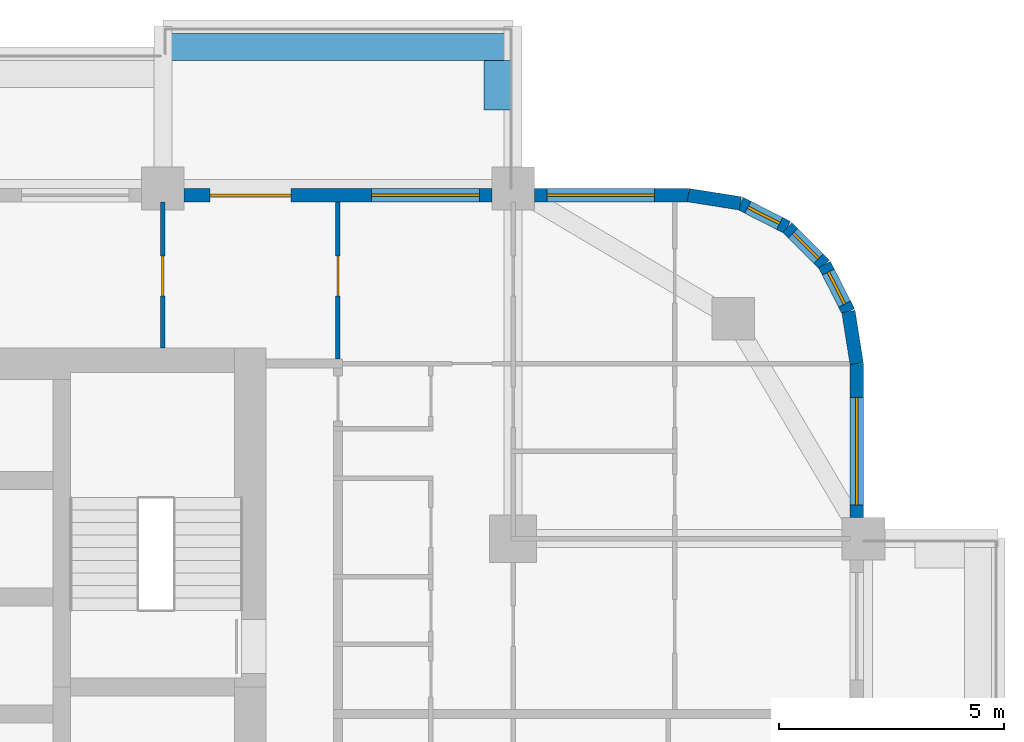
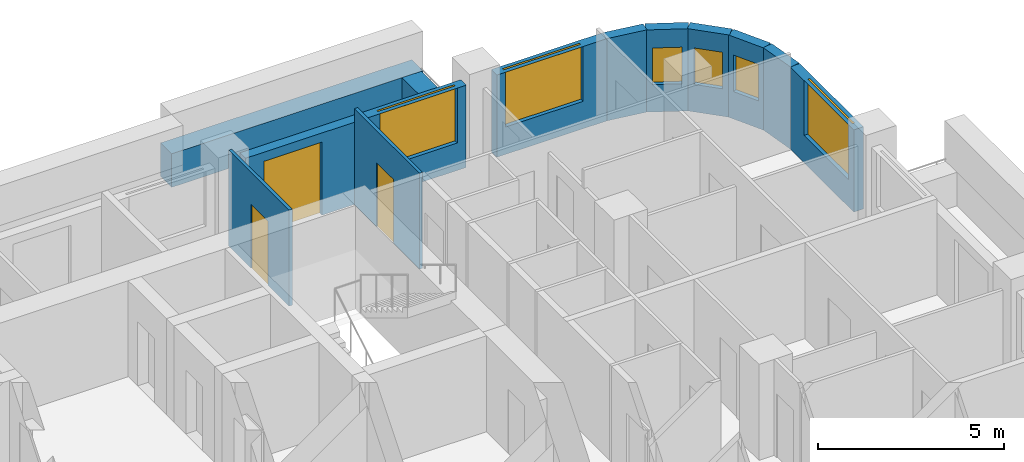
# One storey, part 14 of 18: 12 walls, 6 windows, 3 doors, 9 openings.
"""IFC4 building model written with IfcOpenShell, lengths in metres."""

import ifcopenshell
import ifcopenshell.guid

model = None  # the IFC model being written
_history = None  # IfcOwnerHistory: only IFC2X3 demands one
_inside = {}  # id of a spatial element -> (the spatial element, [elements in it])
_under = {}  # id of a project, library or spatial element -> (it, [spatial elements below it])
_declared = {}  # id of a project -> (the project, [libraries it declares])
_typed = {}  # id of a type object -> (the type object, [elements of that type])
_made_of = {}  # id of a material, layer set ... -> (it, [elements and type objects made of it])


def new_model(schema):
    """Start an empty IFC model of exactly this schema.

    Asked for "IFC4X3", IfcOpenShell would pick the latest addendum, in which some entities
    have other attributes; the version numbers below select the first issue.
    IFC2X3 requires an IfcOwnerHistory on every rooted entity: one is made here for all.
    """
    global model, _history
    if schema == "IFC4X3":
        model = ifcopenshell.file(schema_version=(4, 3, 0, 0))
    else:
        model = ifcopenshell.file(schema=schema)
    _inside.clear()
    _under.clear()
    _declared.clear()
    _typed.clear()
    _made_of.clear()
    _history = None
    if model.schema == "IFC2X3":
        org = make("IfcOrganization", Name="unknown")
        user = make(
            "IfcPersonAndOrganization",
            ThePerson=make("IfcPerson", FamilyName="unknown"),
            TheOrganization=org,
        )
        app = make(
            "IfcApplication",
            ApplicationDeveloper=org,
            Version="unknown",
            ApplicationFullName="unknown",
            ApplicationIdentifier="unknown",
        )
        _history = make(
            "IfcOwnerHistory",
            OwningUser=user,
            OwningApplication=app,
            ChangeAction="ADDED",
            CreationDate=0,
        )
    return model


def make(cls, **values):
    """One entity of the class cls with the attributes given. An attribute that is None is left unset."""
    return model.create_entity(
        cls, **{name: value for name, value in values.items() if value is not None}
    )


def rooted(cls, **values):
    """An entity with a GlobalId (a new one), such as an element, a storey or a relation."""
    return make(cls, GlobalId=ifcopenshell.guid.new(), OwnerHistory=_history, **values)


def si_unit(unit_type, name, prefix=None):
    """IfcSIUnit, for example si_unit("LENGTHUNIT", "METRE", prefix="MILLI")."""
    return make("IfcSIUnit", UnitType=unit_type, Prefix=prefix, Name=name)


def assignment(units):
    """IfcUnitAssignment: the units of a project."""
    return None if units is None else make("IfcUnitAssignment", Units=units)


def point(xyz):
    """IfcCartesianPoint."""
    return None if xyz is None else make("IfcCartesianPoint", Coordinates=xyz)


def direction(xyz):
    """IfcDirection."""
    return None if xyz is None else make("IfcDirection", DirectionRatios=xyz)


def frame(location, z_axis=None, x_axis=None):
    """IfcAxis2Placement3D, a coordinate frame: its origin and axes. An axis left out is left unset."""
    return make(
        "IfcAxis2Placement3D",
        Location=point(location),
        Axis=direction(z_axis),
        RefDirection=direction(x_axis),
    )


def frame_2d(location, x_axis=None):
    """IfcAxis2Placement2D, a coordinate frame in the plane: its origin and x axis."""
    return make(
        "IfcAxis2Placement2D", Location=point(location), RefDirection=direction(x_axis)
    )


def origin():
    """The frame at (0, 0, 0) with its axes left unset."""
    return frame((0.0, 0.0, 0.0))


def place(relative_to, where):
    """IfcLocalPlacement: puts the frame where relative to a parent placement (None: the world)."""
    return make(
        "IfcLocalPlacement", PlacementRelTo=relative_to, RelativePlacement=where
    )


def context(
    kind, dimensions, precision=None, world=None, true_north=None, identifier=None
):
    """IfcGeometricRepresentationContext, for example the 3D "Model" context."""
    return make(
        "IfcGeometricRepresentationContext",
        ContextIdentifier=identifier,
        ContextType=kind,
        CoordinateSpaceDimension=dimensions,
        Precision=precision,
        WorldCoordinateSystem=world,
        TrueNorth=true_north,
    )


def subcontext(parent, identifier, kind, view, scale=None):
    """IfcGeometricRepresentationSubContext, for example "Body" below "Model"."""
    return make(
        "IfcGeometricRepresentationSubContext",
        ContextIdentifier=identifier,
        ContextType=kind,
        ParentContext=parent,
        TargetScale=scale,
        TargetView=view,
    )


def project(units=None, contexts=None):
    """IfcProject with its units and contexts."""
    return rooted(
        "IfcProject",
        Name="project",
        RepresentationContexts=contexts,
        UnitsInContext=assignment(units),
    )


def spatial(cls, under=None, at=None, **own):
    """A site, building, storey or space (cls), placed at a placement, below another one or the project."""
    s = rooted(cls, ObjectPlacement=at, **own)
    if under is not None:
        _under.setdefault(under.id(), (under, []))[1].append(s)
    return s


def profile(cls, at=None, kind="AREA", **sizes):
    """A parametric profile (cls). Its sizes go by their IFC names, for example OverallWidth=200.0."""
    return make(cls, ProfileType=kind, Position=at, **sizes)


def rectangle(**sizes):
    """IfcRectangleProfileDef."""
    return profile("IfcRectangleProfileDef", **sizes)


def extrude(swept, where, along, depth):
    """IfcExtrudedAreaSolid: the profile swept, set in the frame where, extruded along a direction by depth."""
    return make(
        "IfcExtrudedAreaSolid",
        SweptArea=swept,
        Position=where,
        ExtrudedDirection=direction(along),
        Depth=depth,
    )


def shape(context_of_items, identifier, shape_type, items):
    """IfcShapeRepresentation: the items that make up one representation, for example the "Body"."""
    return make(
        "IfcShapeRepresentation",
        ContextOfItems=context_of_items,
        RepresentationIdentifier=identifier,
        RepresentationType=shape_type,
        Items=items,
    )


def material(Name=None, Category=None):
    """IfcMaterial."""
    return make("IfcMaterial", Name=Name, Category=Category)


def layer(
    of_material, thickness, ventilated=None, Name=None, Category=None, Priority=None
):
    """IfcMaterialLayer: one layer of a wall or slab, of a material (None: an air gap)."""
    return make(
        "IfcMaterialLayer",
        Material=of_material,
        LayerThickness=thickness,
        IsVentilated=ventilated,
        Name=Name,
        Category=Category,
        Priority=Priority,
    )


def layer_set(layers, Name=None):
    """IfcMaterialLayerSet."""
    return make("IfcMaterialLayerSet", MaterialLayers=layers, LayerSetName=Name)


def made_of(thing, what):
    """Note that an element or type object is made of a material, layer set ...; save() writes the relation."""
    if what is not None:
        _made_of.setdefault(what.id(), (what, []))[1].append(thing)
    return thing


def type_object(cls, material=None, **own):
    """A type object (cls), such as IfcWallType, which elements share."""
    return made_of(rooted(cls, **own), material)


def element(
    cls,
    number,
    at=None,
    inside=None,
    cuts=None,
    type_object=None,
    material=None,
    context=None,
    identifier="Body",
    shape_type=None,
    held_by="IfcProductDefinitionShape",
    body=None,
    shapes=None,
    **own,
):
    """One element of the class cls, such as IfcWall. Its Tag is "e" and its number.

    at: its placement. inside: the storey or other place that contains it. cuts: it is an
    opening in that element (IfcRelVoidsElement). A single representation is given by context,
    identifier, shape_type and body (its items); several are given by shapes. held_by: the class
    of the entity that holds the representations. save() writes the other relations.
    """
    e = rooted(cls, Tag="e%d" % number, ObjectPlacement=at, **own)
    if body is not None:
        shapes = [shape(context, identifier, shape_type, body)]
    if shapes is not None:
        e.Representation = make(held_by, Representations=shapes)
    if inside is not None:
        _inside.setdefault(inside.id(), (inside, []))[1].append(e)
    if cuts is not None:
        rooted(
            "IfcRelVoidsElement", RelatingBuildingElement=cuts, RelatedOpeningElement=e
        )
    if type_object is not None:
        _typed.setdefault(type_object.id(), (type_object, []))[1].append(e)
    return made_of(e, material)


def fill(opening, filler):
    """IfcRelFillsElement: the door or window that sits in an opening."""
    return rooted(
        "IfcRelFillsElement",
        RelatingOpeningElement=opening,
        RelatedBuildingElement=filler,
    )


def aggregate(whole, parts):
    """IfcRelAggregates: a whole, such as a stair, and the parts it consists of."""
    return rooted("IfcRelAggregates", RelatingObject=whole, RelatedObjects=parts)


def save(model, path):
    """Write the relations noted so far, then the file.

    IfcRelAggregates (storeys below a building ...), IfcRelContainedInSpatialStructure (elements
    in a storey), IfcRelDefinesByType, IfcRelAssociatesMaterial and IfcRelDeclares: one each for
    every whole, place, type object, material and project.
    """
    for whole, parts in _under.values():
        aggregate(whole, parts)
    for where, things in _inside.values():
        rooted(
            "IfcRelContainedInSpatialStructure",
            RelatedElements=things,
            RelatingStructure=where,
        )
    for kind, things in _typed.values():
        rooted("IfcRelDefinesByType", RelatedObjects=things, RelatingType=kind)
    for what, things in _made_of.values():
        rooted("IfcRelAssociatesMaterial", RelatedObjects=things, RelatingMaterial=what)
    for by, libraries in _declared.values():
        rooted("IfcRelDeclares", RelatingContext=by, RelatedDefinitions=libraries)
    model.write(path)


model = new_model("IFC4")

# Units and contexts
model_context = context("Model", 3, precision=1e-05, world=origin(), true_north=direction((0.0, 1.0)))
body_context = subcontext(model_context, "Body", "Model", "MODEL_VIEW")
ifc_project = project(units=[si_unit("LENGTHUNIT", "METRE"), si_unit("AREAUNIT", "SQUARE_METRE"), si_unit("VOLUMEUNIT", "CUBIC_METRE"), si_unit("PLANEANGLEUNIT", "RADIAN"), si_unit("MASSUNIT", "GRAM", prefix="KILO")], contexts=[model_context])

# Site, building, storey
site_placement = place(None, origin())
site = spatial("IfcSite", under=ifc_project, at=site_placement, CompositionType="ELEMENT")
building_placement = place(site_placement, origin())
building = spatial("IfcBuilding", under=site, at=building_placement, Name="Ludao Terraces", CompositionType="ELEMENT")
storey_placement = place(building_placement, frame((0.0, 0.0, 75.0)))
storey = spatial("IfcBuildingStorey", under=building, at=storey_placement, Name="L20", CompositionType="ELEMENT", Elevation=75.0)

# Walls
ifc_material_1 = material(Name="Concrete C40", Category="concrete")
ifc_layer_1 = layer(ifc_material_1, 0.60009765625)
ifc_layer_set_1 = layer_set([ifc_layer_1], Name="ENV Planter trough 600")
wall_type_1 = type_object("IfcWallType", Name="ENV Planter trough 600", PredefinedType="USERDEFINED", material=ifc_layer_set_1)
wall_1_placement = place(storey_placement, frame((92.800048828125, 91.550048828125, 0.0), z_axis=(0.0, 0.0, 1.0), x_axis=(1.0, 0.0, 0.0)))
element("IfcWall", 1, at=wall_1_placement, inside=storey, type_object=wall_type_1, Name="PL-L20-N4", ObjectType="PLANTER", PredefinedType="USERDEFINED", context=body_context, shape_type="SweptSolid", body=[
    extrude(rectangle(XDim=7.800048828125, YDim=0.60009765625, at=frame_2d((3.89990234375, 0.0))), origin(), (0.0, 0.0, 1.0), 1.10009765625),
])
wall_2_placement = place(storey_placement, frame((100.25, 91.25, 0.0), z_axis=(0.0, 0.0, 1.0), x_axis=(0.0, -1.0, 0.0)))
element("IfcWall", 2, at=wall_2_placement, inside=storey, type_object=wall_type_1, Name="PL-L20-N4-SB", ObjectType="PLANTER", PredefinedType="USERDEFINED", context=body_context, shape_type="SweptSolid", body=[
    extrude(rectangle(XDim=1.10009765625, YDim=0.60009765625, at=frame_2d((0.550048828125, 0.0))), origin(), (0.0, 0.0, 1.0), 1.10009765625),
])

# Wall, opening, window
ifc_material_2 = material(Name="Granite cladding", Category="masonry")
ifc_layer_2 = layer(ifc_material_2, 0.0400390625, Category="stone")
ifc_material_3 = material(Name="Mineral wool")
ifc_layer_3 = layer(ifc_material_3, 0.06005859375)
ifc_layer_4 = layer(ifc_material_1, 0.199951171875, Category="concrete")
ifc_layer_set_2 = layer_set([ifc_layer_2, ifc_layer_3, ifc_layer_4], Name="ENV Stone-clad wall 300")
wall_type_2 = type_object("IfcWallType", Name="ENV Stone-clad wall 300", PredefinedType="SOLIDWALL", material=ifc_layer_set_2)
wall_3_placement = place(storey_placement, frame((108.25, 81.074951171875, 0.0), z_axis=(0.0, 0.0, 1.0), x_axis=(0.0, 1.0, 0.0)))
wall_3 = element("IfcWall", 3, at=wall_3_placement, inside=storey, type_object=wall_type_2, Name="EW-L20-E6", PredefinedType="SOLIDWALL", context=body_context, shape_type="SweptSolid", body=[
    extrude(rectangle(XDim=3.425048828125, YDim=0.300048828125, at=frame_2d((1.71240234375, 0.0))), origin(), (0.0, 0.0, 1.0), 2.699951171875),
])
opening_1_placement = place(wall_3_placement, frame((0.27490234375, 0.0, 0.89990234375)))
opening_1 = element("IfcOpeningElement", 4, at=opening_1_placement, cuts=wall_3, Name="Opening W1", PredefinedType="OPENING", context=body_context, shape_type="SweptSolid", body=[
    extrude(rectangle(XDim=2.39990234375, YDim=1.800048828125, at=frame_2d((1.199951171875, 0.89990234375))), frame((0.0, 0.16015625, 0.0), z_axis=(0.0, -1.0, 0.0), x_axis=(1.0, 0.0, 0.0)), (0.0, 0.0, 1.0), 0.320068359375),
])
ifc_material_4 = material(Name="Clear glass in aluminium frame", Category="aluminium")
ifc_layer_5 = layer(ifc_material_4, 0.06005859375)
ifc_layer_set_3 = layer_set([ifc_layer_5], Name="ENV Window W1 2400x1800")
window_type_1 = type_object("IfcWindowType", Name="ENV Window W1 2400x1800", PartitioningType="DOUBLE_PANEL_VERTICAL", PredefinedType="WINDOW", material=ifc_layer_set_3)
window_1_placement = place(opening_1_placement, origin())
window_1 = element("IfcWindow", 5, at=window_1_placement, inside=storey, type_object=window_type_1, Name="W-L20-E6-1", OverallHeight=1.800048828125, OverallWidth=2.39990234375, PartitioningType="DOUBLE_PANEL_VERTICAL", PredefinedType="WINDOW", context=body_context, shape_type="SweptSolid", body=[
    extrude(rectangle(XDim=2.39990234375, YDim=1.800048828125, at=frame_2d((1.199951171875, 0.89990234375))), frame((0.0, 0.030029296875, 0.0), z_axis=(0.0, -1.0, 0.0), x_axis=(1.0, 0.0, 0.0)), (0.0, 0.0, 1.0), 0.06005859375),
])
fill(opening_1, window_1)

# Wall, openings, door, window
wall_4_placement = place(storey_placement, frame((93.27490234375, 88.25, 0.0), z_axis=(0.0, 0.0, 1.0), x_axis=(1.0, 0.0, 0.0)))
wall_4 = element("IfcWall", 6, at=wall_4_placement, inside=storey, type_object=wall_type_2, Name="EW-L20-N5", PredefinedType="SOLIDWALL", context=body_context, shape_type="SweptSolid", body=[
    extrude(rectangle(XDim=6.85009765625, YDim=0.300048828125, at=frame_2d((3.425048828125, 0.0))), origin(), (0.0, 0.0, 1.0), 2.699951171875),
])
opening_2_placement = place(wall_4_placement, frame((0.574951171875, 0.0, 0.0)))
opening_2 = element("IfcOpeningElement", 7, at=opening_2_placement, cuts=wall_4, Name="Opening BD", PredefinedType="OPENING", context=body_context, shape_type="SweptSolid", body=[
    extrude(rectangle(XDim=1.800048828125, YDim=2.39990234375, at=frame_2d((0.89990234375, 1.199951171875))), frame((0.0, 0.16015625, 0.0), z_axis=(0.0, -1.0, 0.0), x_axis=(1.0, 0.0, 0.0)), (0.0, 0.0, 1.0), 0.320068359375),
])
opening_3_placement = place(wall_4_placement, frame((4.175048828125, 0.0, 0.89990234375)))
opening_3 = element("IfcOpeningElement", 8, at=opening_3_placement, cuts=wall_4, Name="Opening W1", PredefinedType="OPENING", context=body_context, shape_type="SweptSolid", body=[
    extrude(rectangle(XDim=2.39990234375, YDim=1.800048828125, at=frame_2d((1.199951171875, 0.89990234375))), frame((0.0, 0.16015625, 0.0), z_axis=(0.0, -1.0, 0.0), x_axis=(1.0, 0.0, 0.0)), (0.0, 0.0, 1.0), 0.320068359375),
])
ifc_material_5 = material(Name="Aluminium glazed door", Category="aluminium")
ifc_layer_6 = layer(ifc_material_5, 0.06005859375)
ifc_layer_set_4 = layer_set([ifc_layer_6], Name="ENV Balcony door BD 1800x2400")
door_type_1 = type_object("IfcDoorType", Name="ENV Balcony door BD 1800x2400", OperationType="DOUBLE_DOOR_SINGLE_SWING", PredefinedType="DOOR", material=ifc_layer_set_4)
door_1_placement = place(opening_2_placement, origin())
door_1 = element("IfcDoor", 9, at=door_1_placement, inside=storey, type_object=door_type_1, Name="BD-L20-N5-1", OperationType="DOUBLE_DOOR_SINGLE_SWING", OverallHeight=2.39990234375, OverallWidth=1.800048828125, PredefinedType="DOOR", context=body_context, shape_type="SweptSolid", body=[
    extrude(rectangle(XDim=1.800048828125, YDim=2.39990234375, at=frame_2d((0.89990234375, 1.199951171875))), frame((0.0, 0.02490234375, 0.0), z_axis=(0.0, -1.0, 0.0), x_axis=(1.0, 0.0, 0.0)), (0.0, 0.0, 1.0), 0.050048828125),
])
fill(opening_2, door_1)
window_2_placement = place(opening_3_placement, origin())
window_2 = element("IfcWindow", 10, at=window_2_placement, inside=storey, type_object=window_type_1, Name="W-L20-N5-2", OverallHeight=1.800048828125, OverallWidth=2.39990234375, PartitioningType="DOUBLE_PANEL_VERTICAL", PredefinedType="WINDOW", context=body_context, shape_type="SweptSolid", body=[
    extrude(rectangle(XDim=2.39990234375, YDim=1.800048828125, at=frame_2d((1.199951171875, 0.89990234375))), frame((0.0, 0.030029296875, 0.0), z_axis=(0.0, -1.0, 0.0), x_axis=(1.0, 0.0, 0.0)), (0.0, 0.0, 1.0), 0.06005859375),
])
fill(opening_3, window_2)

# Wall, opening, window
wall_5_placement = place(storey_placement, frame((101.074951171875, 88.25, 0.0), z_axis=(0.0, 0.0, 1.0), x_axis=(1.0, 0.0, 0.0)))
wall_5 = element("IfcWall", 11, at=wall_5_placement, inside=storey, type_object=wall_type_2, Name="EW-L20-N6", PredefinedType="SOLIDWALL", context=body_context, shape_type="SweptSolid", body=[
    extrude(rectangle(XDim=3.425048828125, YDim=0.300048828125, at=frame_2d((1.71240234375, 0.0))), origin(), (0.0, 0.0, 1.0), 2.699951171875),
])
opening_4_placement = place(wall_5_placement, frame((0.27490234375, 0.0, 0.89990234375)))
opening_4 = element("IfcOpeningElement", 12, at=opening_4_placement, cuts=wall_5, Name="Opening W1", PredefinedType="OPENING", context=body_context, shape_type="SweptSolid", body=[
    extrude(rectangle(XDim=2.39990234375, YDim=1.800048828125, at=frame_2d((1.199951171875, 0.89990234375))), frame((0.0, 0.16015625, 0.0), z_axis=(0.0, -1.0, 0.0), x_axis=(1.0, 0.0, 0.0)), (0.0, 0.0, 1.0), 0.320068359375),
])
window_3_placement = place(opening_4_placement, origin())
window_3 = element("IfcWindow", 13, at=window_3_placement, inside=storey, type_object=window_type_1, Name="W-L20-N6-1", OverallHeight=1.800048828125, OverallWidth=2.39990234375, PartitioningType="DOUBLE_PANEL_VERTICAL", PredefinedType="WINDOW", context=body_context, shape_type="SweptSolid", body=[
    extrude(rectangle(XDim=2.39990234375, YDim=1.800048828125, at=frame_2d((1.199951171875, 0.89990234375))), frame((0.0, 0.030029296875, 0.0), z_axis=(0.0, -1.0, 0.0), x_axis=(1.0, 0.0, 0.0)), (0.0, 0.0, 1.0), 0.06005859375),
])
fill(opening_4, window_3)

# Wall
wall_6_placement = place(storey_placement, frame((108.25, 84.5, 0.0), z_axis=(0.0, 0.0, 1.0), x_axis=(-0.156496880861, 0.987678452879, 0.0)))
element("IfcWall", 14, at=wall_6_placement, inside=storey, type_object=wall_type_2, Name="EW-L20-NE1", PredefinedType="SOLIDWALL", context=body_context, shape_type="SweptSolid", body=[
    extrude(rectangle(XDim=1.173095703125, YDim=0.300048828125, at=frame_2d((0.58642578125, 0.0))), origin(), (0.0, 0.0, 1.0), 2.699951171875),
])

# Wall, opening, window
wall_7_placement = place(storey_placement, frame((108.06640625, 85.65869140625, 0.0), z_axis=(0.0, 0.0, 1.0), x_axis=(-0.454025524128, 0.890988677504, 0.0)))
wall_7 = element("IfcWall", 15, at=wall_7_placement, inside=storey, type_object=wall_type_2, Name="EW-L20-NE2", PredefinedType="SOLIDWALL", context=body_context, shape_type="SweptSolid", body=[
    extrude(rectangle(XDim=1.17333984375, YDim=0.300048828125, at=frame_2d((0.586669921875, 0.0))), origin(), (0.0, 0.0, 1.0), 2.699951171875),
])
opening_5_placement = place(wall_7_placement, frame((0.1865234375, 0.0, 0.89990234375)))
opening_5 = element("IfcOpeningElement", 16, at=opening_5_placement, cuts=wall_7, Name="Opening W3", PredefinedType="OPENING", context=body_context, shape_type="SweptSolid", body=[
    extrude(rectangle(XDim=0.800048828125, YDim=1.199951171875, at=frame_2d((0.39990234375, 0.60009765625))), frame((0.0, 0.16015625, 0.0), z_axis=(0.0, -1.0, 0.0), x_axis=(1.0, 0.0, 0.0)), (0.0, 0.0, 1.0), 0.320068359375),
])
ifc_layer_7 = layer(ifc_material_4, 0.06005859375)
ifc_layer_set_5 = layer_set([ifc_layer_7], Name="ENV Window W3 800x1200")
window_type_2 = type_object("IfcWindowType", Name="ENV Window W3 800x1200", PartitioningType="SINGLE_PANEL", PredefinedType="WINDOW", material=ifc_layer_set_5)
window_4_placement = place(opening_5_placement, origin())
window_4 = element("IfcWindow", 17, at=window_4_placement, inside=storey, type_object=window_type_2, Name="W-L20-NE2", OverallHeight=1.199951171875, OverallWidth=0.800048828125, PartitioningType="SINGLE_PANEL", PredefinedType="WINDOW", context=body_context, shape_type="SweptSolid", body=[
    extrude(rectangle(XDim=0.800048828125, YDim=1.199951171875, at=frame_2d((0.39990234375, 0.60009765625))), frame((0.0, 0.030029296875, 0.0), z_axis=(0.0, -1.0, 0.0), x_axis=(1.0, 0.0, 0.0)), (0.0, 0.0, 1.0), 0.06005859375),
])
fill(opening_5, window_4)

wall_8_placement = place(storey_placement, frame((107.53369140625, 86.7041015625, 0.0), z_axis=(0.0, 0.0, 1.0), x_axis=(-0.707106781187, 0.707106781187, 0.0)))
wall_8 = element("IfcWall", 18, at=wall_8_placement, inside=storey, type_object=wall_type_2, Name="EW-L20-NE3", PredefinedType="SOLIDWALL", context=body_context, shape_type="SweptSolid", body=[
    extrude(rectangle(XDim=1.173095703125, YDim=0.300048828125, at=frame_2d((0.58642578125, 0.0))), origin(), (0.0, 0.0, 1.0), 2.699951171875),
])
opening_6_placement = place(wall_8_placement, frame((0.1865234375, 0.0, 0.89990234375)))
opening_6 = element("IfcOpeningElement", 19, at=opening_6_placement, cuts=wall_8, Name="Opening W3", PredefinedType="OPENING", context=body_context, shape_type="SweptSolid", body=[
    extrude(rectangle(XDim=0.800048828125, YDim=1.199951171875, at=frame_2d((0.39990234375, 0.60009765625))), frame((0.0, 0.16015625, 0.0), z_axis=(0.0, -1.0, 0.0), x_axis=(1.0, 0.0, 0.0)), (0.0, 0.0, 1.0), 0.320068359375),
])
window_5_placement = place(opening_6_placement, origin())
window_5 = element("IfcWindow", 20, at=window_5_placement, inside=storey, type_object=window_type_2, Name="W-L20-NE3", OverallHeight=1.199951171875, OverallWidth=0.800048828125, PartitioningType="SINGLE_PANEL", PredefinedType="WINDOW", context=body_context, shape_type="SweptSolid", body=[
    extrude(rectangle(XDim=0.800048828125, YDim=1.199951171875, at=frame_2d((0.39990234375, 0.60009765625))), frame((0.0, 0.030029296875, 0.0), z_axis=(0.0, -1.0, 0.0), x_axis=(1.0, 0.0, 0.0)), (0.0, 0.0, 1.0), 0.06005859375),
])
fill(opening_6, window_5)

wall_9_placement = place(storey_placement, frame((106.7041015625, 87.53369140625, 0.0), z_axis=(0.0, 0.0, 1.0), x_axis=(-0.890988677504, 0.454025524128, 0.0)))
wall_9 = element("IfcWall", 21, at=wall_9_placement, inside=storey, type_object=wall_type_2, Name="EW-L20-NE4", PredefinedType="SOLIDWALL", context=body_context, shape_type="SweptSolid", body=[
    extrude(rectangle(XDim=1.17333984375, YDim=0.300048828125, at=frame_2d((0.586669921875, 0.0))), origin(), (0.0, 0.0, 1.0), 2.699951171875),
])
opening_7_placement = place(wall_9_placement, frame((0.1865234375, 0.0, 0.89990234375)))
opening_7 = element("IfcOpeningElement", 22, at=opening_7_placement, cuts=wall_9, Name="Opening W3", PredefinedType="OPENING", context=body_context, shape_type="SweptSolid", body=[
    extrude(rectangle(XDim=0.800048828125, YDim=1.199951171875, at=frame_2d((0.39990234375, 0.60009765625))), frame((0.0, 0.16015625, 0.0), z_axis=(0.0, -1.0, 0.0), x_axis=(1.0, 0.0, 0.0)), (0.0, 0.0, 1.0), 0.320068359375),
])
window_6_placement = place(opening_7_placement, origin())
window_6 = element("IfcWindow", 23, at=window_6_placement, inside=storey, type_object=window_type_2, Name="W-L20-NE4", OverallHeight=1.199951171875, OverallWidth=0.800048828125, PartitioningType="SINGLE_PANEL", PredefinedType="WINDOW", context=body_context, shape_type="SweptSolid", body=[
    extrude(rectangle(XDim=0.800048828125, YDim=1.199951171875, at=frame_2d((0.39990234375, 0.60009765625))), frame((0.0, 0.030029296875, 0.0), z_axis=(0.0, -1.0, 0.0), x_axis=(1.0, 0.0, 0.0)), (0.0, 0.0, 1.0), 0.06005859375),
])
fill(opening_7, window_6)

# Wall
wall_10_placement = place(storey_placement, frame((105.65869140625, 88.06640625, 0.0), z_axis=(0.0, 0.0, 1.0), x_axis=(-0.987678452879, 0.156496880861, 0.0)))
element("IfcWall", 24, at=wall_10_placement, inside=storey, type_object=wall_type_2, Name="EW-L20-NE5", PredefinedType="SOLIDWALL", context=body_context, shape_type="SweptSolid", body=[
    extrude(rectangle(XDim=1.173095703125, YDim=0.300048828125, at=frame_2d((0.58642578125, 0.0))), origin(), (0.0, 0.0, 1.0), 2.699951171875),
])

# Wall, opening, door
ifc_material_6 = material(Name="Gypsum plasterboard", Category="gypsum")
ifc_layer_8 = layer(ifc_material_6, 0.012451171875, Category="gypsum")
ifc_layer_9 = layer(ifc_material_3, 0.06005859375, Name="insulation")
ifc_material_7 = material(Name="Steel Q235", Category="steel")
ifc_layer_10 = layer(ifc_material_7, 0.014892578125, Name="stud")
ifc_layer_11 = layer(ifc_material_6, 0.012451171875, Category="gypsum")
ifc_layer_set_6 = layer_set([ifc_layer_8, ifc_layer_9, ifc_layer_10, ifc_layer_11], Name="INT Partition 100")
wall_type_3 = type_object("IfcWallType", Name="INT Partition 100", PredefinedType="PARTITIONING", material=ifc_layer_set_6)
wall_11_placement = place(storey_placement, frame((92.800048828125, 84.85009765625, 0.0), z_axis=(0.0, 0.0, 1.0), x_axis=(0.0, 1.0, 0.0)))
wall_11 = element("IfcWall", 25, at=wall_11_placement, inside=storey, type_object=wall_type_3, Name="PW-L20-PW111", PredefinedType="PARTITIONING", context=body_context, shape_type="SweptSolid", body=[
    extrude(rectangle(XDim=3.25, YDim=0.10009765625, at=frame_2d((1.625, 0.0))), origin(), (0.0, 0.0, 1.0), 3.14990234375),
])
opening_8_placement = place(wall_11_placement, frame((1.14990234375, 0.0, 0.0)))
opening_8 = element("IfcOpeningElement", 26, at=opening_8_placement, cuts=wall_11, Name="Opening R06-163", PredefinedType="OPENING", context=body_context, shape_type="SweptSolid", body=[
    extrude(rectangle(XDim=0.89990234375, YDim=2.10009765625, at=frame_2d((0.449951171875, 1.050048828125))), frame((0.0, 0.06005859375, 0.0), z_axis=(0.0, -1.0, 0.0), x_axis=(1.0, 0.0, 0.0)), (0.0, 0.0, 1.0), 0.1201171875),
])
ifc_material_8 = material(Name="Timber door leaf", Category="wood")
door_type_2 = type_object("IfcDoorType", Name="INT Room door 900", OperationType="SINGLE_SWING_LEFT", PredefinedType="DOOR", material=ifc_material_8)
door_2_placement = place(opening_8_placement, origin())
door_2 = element("IfcDoor", 27, at=door_2_placement, inside=storey, type_object=door_type_2, Name="DOOR 163", OperationType="SINGLE_SWING_LEFT", OverallHeight=2.10009765625, OverallWidth=0.89990234375, PredefinedType="DOOR", context=body_context, shape_type="SweptSolid", body=[
    extrude(rectangle(XDim=0.89990234375, YDim=2.10009765625, at=frame_2d((0.449951171875, 1.050048828125))), frame((0.0, 0.02490234375, 0.0), z_axis=(0.0, -1.0, 0.0), x_axis=(1.0, 0.0, 0.0)), (0.0, 0.0, 1.0), 0.050048828125),
])
fill(opening_8, door_2)

wall_12_placement = place(storey_placement, frame((96.699951171875, 84.60009765625, 0.0), z_axis=(0.0, 0.0, 1.0), x_axis=(0.0, 1.0, 0.0)))
wall_12 = element("IfcWall", 28, at=wall_12_placement, inside=storey, type_object=wall_type_3, Name="PW-L20-PW117", PredefinedType="PARTITIONING", context=body_context, shape_type="SweptSolid", body=[
    extrude(rectangle(XDim=3.5, YDim=0.10009765625, at=frame_2d((1.75, 0.0))), origin(), (0.0, 0.0, 1.0), 3.14990234375),
])
opening_9_placement = place(wall_12_placement, frame((1.39990234375, 0.0, 0.0)))
opening_9 = element("IfcOpeningElement", 29, at=opening_9_placement, cuts=wall_12, Name="Opening R06-164", PredefinedType="OPENING", context=body_context, shape_type="SweptSolid", body=[
    extrude(rectangle(XDim=0.89990234375, YDim=2.10009765625, at=frame_2d((0.449951171875, 1.050048828125))), frame((0.0, 0.06005859375, 0.0), z_axis=(0.0, -1.0, 0.0), x_axis=(1.0, 0.0, 0.0)), (0.0, 0.0, 1.0), 0.1201171875),
])
door_3_placement = place(opening_9_placement, origin())
door_3 = element("IfcDoor", 30, at=door_3_placement, inside=storey, type_object=door_type_2, Name="DOOR 164", OperationType="SINGLE_SWING_RIGHT", OverallHeight=2.10009765625, OverallWidth=0.89990234375, PredefinedType="DOOR", context=body_context, shape_type="SweptSolid", body=[
    extrude(rectangle(XDim=0.89990234375, YDim=2.10009765625, at=frame_2d((0.449951171875, 1.050048828125))), frame((0.0, 0.02490234375, 0.0), z_axis=(0.0, -1.0, 0.0), x_axis=(1.0, 0.0, 0.0)), (0.0, 0.0, 1.0), 0.050048828125),
])
fill(opening_9, door_3)

save(model, "model.ifc")
